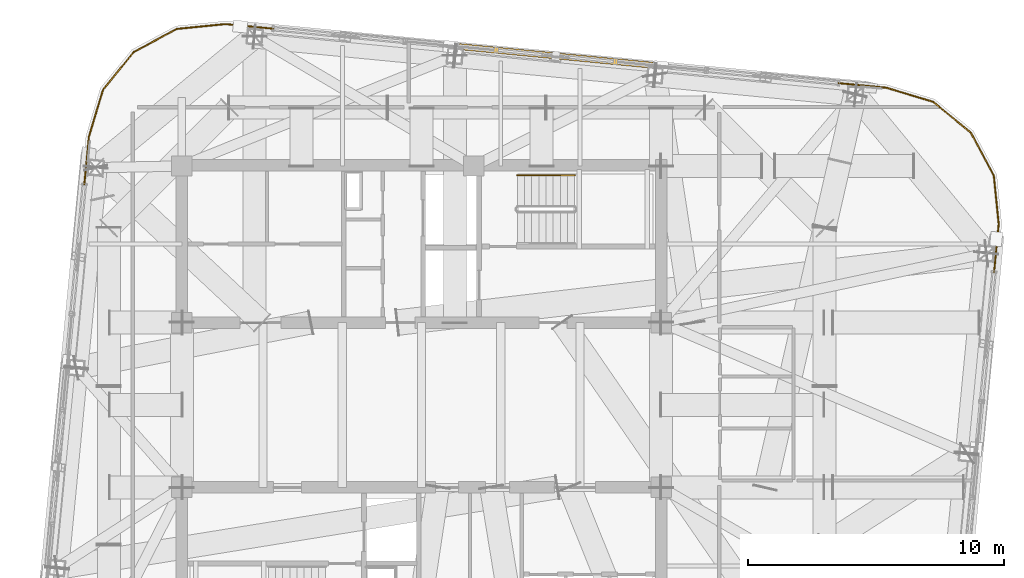
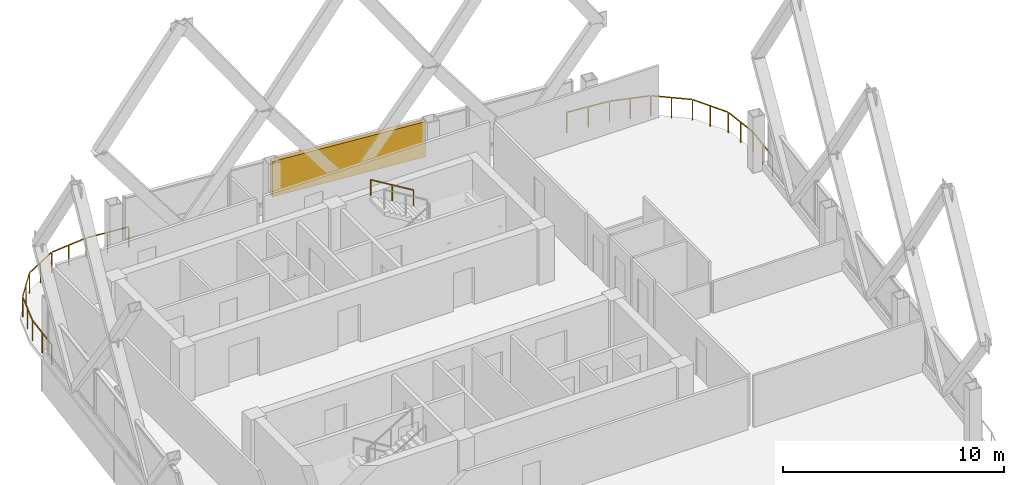
# One storey, part 31 of 31: 3 railings, 1 shading device.
"""IFC4 building model written with IfcOpenShell, lengths in metres."""

from ifc_helpers import new_model, si_unit, direction, frame, origin, origin_2d, place, context, subcontext, project, spatial, rectangle, extrude, material, type_object, element, save


model = new_model("IFC4")

# Units and contexts
model_context = context("Model", 3, precision=1e-05, world=origin(), true_north=direction((0.0, 1.0)))
body_context = subcontext(model_context, "Body", "Model", "MODEL_VIEW")
ifc_project = project(units=[si_unit("LENGTHUNIT", "METRE"), si_unit("AREAUNIT", "SQUARE_METRE"), si_unit("VOLUMEUNIT", "CUBIC_METRE"), si_unit("PLANEANGLEUNIT", "RADIAN"), si_unit("MASSUNIT", "GRAM", prefix="KILO")], contexts=[model_context])

# Site, building, storey
site_placement = place(None, origin())
site = spatial("IfcSite", under=ifc_project, at=site_placement, CompositionType="ELEMENT")
building_placement = place(site_placement, origin())
building = spatial("IfcBuilding", under=site, at=building_placement, Name="Qhalaya Broadcast Tower", CompositionType="ELEMENT")
storey_placement = place(building_placement, frame((0.0, 0.0, 242.85009765625)))
storey = spatial("IfcBuildingStorey", under=building, at=storey_placement, Name="L71", CompositionType="ELEMENT", Elevation=242.85009765625)

# Railings
ifc_material_1 = material(Name="Powder-Coated Galvanised Steel", Category="steel")
railing_type_1 = type_object("IfcRailingType", Name="Stair Wall Handrail 900", PredefinedType="HANDRAIL", material=ifc_material_1)
railing_1_placement = place(storey_placement, frame((5.989990234375, 9.590087890625, 1.6943359375)))
element("IfcRailing", 1, at=railing_1_placement, inside=storey, type_object=railing_type_1, Name="L71 ST-1 Stair Handrail 2", PredefinedType="HANDRAIL", context=body_context, shape_type="SweptSolid", body=[
    extrude(rectangle(XDim=0.048095703125, YDim=0.048095703125, at=origin_2d()), frame((0.0, 0.0, 0.8759765625), z_axis=(-0.855553338991, 0.0, 0.51771467445), x_axis=(0.0, -1.0, 0.0)), (0.0, 0.0, 1.0), 2.6181640625),
    extrude(rectangle(XDim=0.0419921875, YDim=0.0419921875, at=origin_2d()), origin(), (0.0, 0.0, 1.0), 0.849853515625),
    extrude(rectangle(XDim=0.0419921875, YDim=0.0419921875, at=origin_2d()), frame((-1.1201171875, 0.0, 0.677734375)), (0.0, 0.0, 1.0), 0.849853515625),
    extrude(rectangle(XDim=0.0419921875, YDim=0.0419921875, at=origin_2d()), frame((-2.239990234375, 0.0, 1.35546875)), (0.0, 0.0, 1.0), 0.849853515625),
])
railing_type_2 = type_object("IfcRailingType", Name="Terrace, Sky-Pool & Lookout Glass Balustrade 1150", PredefinedType="BALUSTRADE", material=ifc_material_1)
railing_2_placement = place(storey_placement, frame((-13.2158203125, 8.99365234375, 0.0)))
element("IfcRailing", 2, at=railing_2_placement, inside=storey, type_object=railing_type_2, Name="L71 Rounded Corner Perimeter Guard 03", PredefinedType="BALUSTRADE", context=body_context, shape_type="SweptSolid", body=[
    extrude(rectangle(XDim=0.048095703125, YDim=0.048095703125, at=origin_2d()), frame((0.0, 0.0, 1.1259765625), z_axis=(0.095896889673, 0.995391273094, 0.0), x_axis=(-0.995391273094, 0.095896889673, 0.0)), (0.0, 0.0, 1.0), 2.08935546875),
    extrude(rectangle(XDim=0.048095703125, YDim=0.048095703125, at=origin_2d()), frame((0.21142578125, 2.135986328125, 1.1259765625), z_axis=(0.288096282124, 0.957601447485, 0.0), x_axis=(-0.957601447485, 0.288096282124, 0.0)), (0.0, 0.0, 1.0), 1.857421875),
    extrude(rectangle(XDim=0.048095703125, YDim=0.048095703125, at=origin_2d()), frame((0.773193359375, 3.96484375, 1.1259765625), z_axis=(0.63274871945, 0.774357190213, 0.0), x_axis=(-0.774357190213, 0.63274871945, 0.0)), (0.0, 0.0, 1.0), 1.845703125),
    extrude(rectangle(XDim=0.048095703125, YDim=0.048095703125, at=origin_2d()), frame((1.984619140625, 5.429931640625, 1.1259765625), z_axis=(0.880878554058, 0.473342342286, 0.0), x_axis=(-0.473342342286, 0.880878554058, 0.0)), (0.0, 0.0, 1.0), 1.845458984375),
    extrude(rectangle(XDim=0.048095703125, YDim=0.048095703125, at=origin_2d()), frame((3.66455078125, 6.320068359375, 1.1259765625), z_axis=(0.994980230152, 0.100071682341, 0.0), x_axis=(-0.100071682341, 0.994980230152, 0.0)), (0.0, 0.0, 1.0), 1.857421875),
    extrude(rectangle(XDim=0.048095703125, YDim=0.048095703125, at=origin_2d()), frame((5.570068359375, 6.506103515625, 1.1259765625), z_axis=(0.995402268864, -0.095782687057, 0.0), x_axis=(0.095782687057, 0.995402268864, 0.0)), (0.0, 0.0, 1.0), 2.08935546875),
    extrude(rectangle(XDim=0.0419921875, YDim=0.0419921875, at=origin_2d()), origin(), (0.0, 0.0, 1.0), 1.099853515625),
    extrude(rectangle(XDim=0.0419921875, YDim=0.0419921875, at=origin_2d()), frame((0.1015625, 1.05419921875, 0.0)), (0.0, 0.0, 1.0), 1.099853515625),
    extrude(rectangle(XDim=0.0419921875, YDim=0.0419921875, at=origin_2d()), frame((0.203125, 2.1083984375, 0.0)), (0.0, 0.0, 1.0), 1.099853515625),
    extrude(rectangle(XDim=0.0419921875, YDim=0.0419921875, at=origin_2d()), frame((0.47900390625, 3.025390625, 0.0)), (0.0, 0.0, 1.0), 1.099853515625),
    extrude(rectangle(XDim=0.0419921875, YDim=0.0419921875, at=origin_2d()), frame((0.7548828125, 3.9423828125, 0.0)), (0.0, 0.0, 1.0), 1.099853515625),
    extrude(rectangle(XDim=0.0419921875, YDim=0.0419921875, at=origin_2d()), frame((1.35693359375, 4.67919921875, 0.0)), (0.0, 0.0, 1.0), 1.099853515625),
    extrude(rectangle(XDim=0.0419921875, YDim=0.0419921875, at=origin_2d()), frame((1.959228515625, 5.416259765625, 0.0)), (0.0, 0.0, 1.0), 1.099853515625),
    extrude(rectangle(XDim=0.0419921875, YDim=0.0419921875, at=origin_2d()), frame((2.79736328125, 5.86669921875, 0.0)), (0.0, 0.0, 1.0), 1.099853515625),
    extrude(rectangle(XDim=0.0419921875, YDim=0.0419921875, at=origin_2d()), frame((3.6357421875, 6.317138671875, 0.0)), (0.0, 0.0, 1.0), 1.099853515625),
    extrude(rectangle(XDim=0.0419921875, YDim=0.0419921875, at=origin_2d()), frame((4.58837890625, 6.4130859375, 0.0)), (0.0, 0.0, 1.0), 1.099853515625),
    extrude(rectangle(XDim=0.0419921875, YDim=0.0419921875, at=origin_2d()), frame((5.541259765625, 6.5087890625, 0.0)), (0.0, 0.0, 1.0), 1.099853515625),
    extrude(rectangle(XDim=0.0419921875, YDim=0.0419921875, at=origin_2d()), frame((6.595458984375, 6.4072265625, 0.0)), (0.0, 0.0, 1.0), 1.099853515625),
    extrude(rectangle(XDim=0.0419921875, YDim=0.0419921875, at=origin_2d()), frame((7.649658203125, 6.305908203125, 0.0)), (0.0, 0.0, 1.0), 1.099853515625),
])
railing_3_placement = place(storey_placement, frame((16.07373046875, 13.2158203125, 0.0)))
element("IfcRailing", 3, at=railing_3_placement, inside=storey, type_object=railing_type_2, Name="L71 Rounded Corner Perimeter Guard 04", PredefinedType="BALUSTRADE", context=body_context, shape_type="SweptSolid", body=[
    extrude(rectangle(XDim=0.048095703125, YDim=0.048095703125, at=origin_2d()), frame((0.0, 0.0, 1.1259765625), z_axis=(0.995391273094, -0.095896889673, 0.0), x_axis=(0.095896889673, 0.995391273094, 0.0)), (0.0, 0.0, 1.0), 2.08935546875),
    extrude(rectangle(XDim=0.048095703125, YDim=0.048095703125, at=origin_2d()), frame((2.135986328125, -0.21142578125, 1.1259765625), z_axis=(0.957601447485, -0.288096282124, 0.0), x_axis=(0.288096282124, 0.957601447485, 0.0)), (0.0, 0.0, 1.0), 1.857421875),
    extrude(rectangle(XDim=0.048095703125, YDim=0.048095703125, at=origin_2d()), frame((3.96484375, -0.773193359375, 1.1259765625), z_axis=(0.774357190213, -0.63274871945, 0.0), x_axis=(0.63274871945, 0.774357190213, 0.0)), (0.0, 0.0, 1.0), 1.845703125),
    extrude(rectangle(XDim=0.048095703125, YDim=0.048095703125, at=origin_2d()), frame((5.429931640625, -1.984619140625, 1.1259765625), z_axis=(0.473242797018, -0.880932037714, 0.0), x_axis=(0.880932037714, 0.473242797018, 0.0)), (0.0, 0.0, 1.0), 1.845458984375),
    extrude(rectangle(XDim=0.048095703125, YDim=0.048095703125, at=origin_2d()), frame((6.31982421875, -3.66455078125, 1.1259765625), z_axis=(0.100197883148, -0.994967529225, 0.0), x_axis=(0.994967529225, 0.100197883148, 0.0)), (0.0, 0.0, 1.0), 1.857421875),
    extrude(rectangle(XDim=0.048095703125, YDim=0.048095703125, at=origin_2d()), frame((6.506103515625, -5.570068359375, 1.1259765625), z_axis=(-0.095896889673, -0.995391273094, 0.0), x_axis=(0.995391273094, -0.095896889673, 0.0)), (0.0, 0.0, 1.0), 2.08935546875),
    extrude(rectangle(XDim=0.0419921875, YDim=0.0419921875, at=origin_2d()), origin(), (0.0, 0.0, 1.0), 1.099853515625),
    extrude(rectangle(XDim=0.0419921875, YDim=0.0419921875, at=origin_2d()), frame((1.05419921875, -0.1015625, 0.0)), (0.0, 0.0, 1.0), 1.099853515625),
    extrude(rectangle(XDim=0.0419921875, YDim=0.0419921875, at=origin_2d()), frame((2.1083984375, -0.203125, 0.0)), (0.0, 0.0, 1.0), 1.099853515625),
    extrude(rectangle(XDim=0.0419921875, YDim=0.0419921875, at=origin_2d()), frame((3.025390625, -0.47900390625, 0.0)), (0.0, 0.0, 1.0), 1.099853515625),
    extrude(rectangle(XDim=0.0419921875, YDim=0.0419921875, at=origin_2d()), frame((3.9423828125, -0.7548828125, 0.0)), (0.0, 0.0, 1.0), 1.099853515625),
    extrude(rectangle(XDim=0.0419921875, YDim=0.0419921875, at=origin_2d()), frame((4.67919921875, -1.35693359375, 0.0)), (0.0, 0.0, 1.0), 1.099853515625),
    extrude(rectangle(XDim=0.0419921875, YDim=0.0419921875, at=origin_2d()), frame((5.416259765625, -1.959228515625, 0.0)), (0.0, 0.0, 1.0), 1.099853515625),
    extrude(rectangle(XDim=0.0419921875, YDim=0.0419921875, at=origin_2d()), frame((5.86669921875, -2.79736328125, 0.0)), (0.0, 0.0, 1.0), 1.099853515625),
    extrude(rectangle(XDim=0.0419921875, YDim=0.0419921875, at=origin_2d()), frame((6.31689453125, -3.6357421875, 0.0)), (0.0, 0.0, 1.0), 1.099853515625),
    extrude(rectangle(XDim=0.0419921875, YDim=0.0419921875, at=origin_2d()), frame((6.412841796875, -4.58837890625, 0.0)), (0.0, 0.0, 1.0), 1.099853515625),
    extrude(rectangle(XDim=0.0419921875, YDim=0.0419921875, at=origin_2d()), frame((6.5087890625, -5.541259765625, 0.0)), (0.0, 0.0, 1.0), 1.099853515625),
    extrude(rectangle(XDim=0.0419921875, YDim=0.0419921875, at=origin_2d()), frame((6.4072265625, -6.595458984375, 0.0)), (0.0, 0.0, 1.0), 1.099853515625),
    extrude(rectangle(XDim=0.0419921875, YDim=0.0419921875, at=origin_2d()), frame((6.3056640625, -7.649658203125, 0.0)), (0.0, 0.0, 1.0), 1.099853515625),
])

# Shading device
ifc_material_2 = material(Name="Fired Architectural Terracotta", Category="masonry")
shading_device_type = type_object("IfcShadingDeviceType", Name="Terracotta Baguette Solar Screen Assembly TBS-01", PredefinedType="USERDEFINED", material=ifc_material_2)
shading_device_placement = place(storey_placement, frame((5.25390625, 14.2578125, 0.80078125), z_axis=(0.0, 0.0, 1.0), x_axis=(-0.995396198367, 0.09584575252, 0.0)))
element("IfcShadingDevice", 4, at=shading_device_placement, inside=storey, type_object=shading_device_type, Name="L71 Fired Terracotta Baguette Screen N", ObjectType="BAGUETTE", PredefinedType="USERDEFINED", context=body_context, shape_type="SweptSolid", body=[
    extrude(rectangle(XDim=7.60009765625, YDim=0.239990234375, at=origin_2d()), origin(), (0.0, 0.0, 1.0), 1.945068359375),
])

save(model, "model.ifc")
